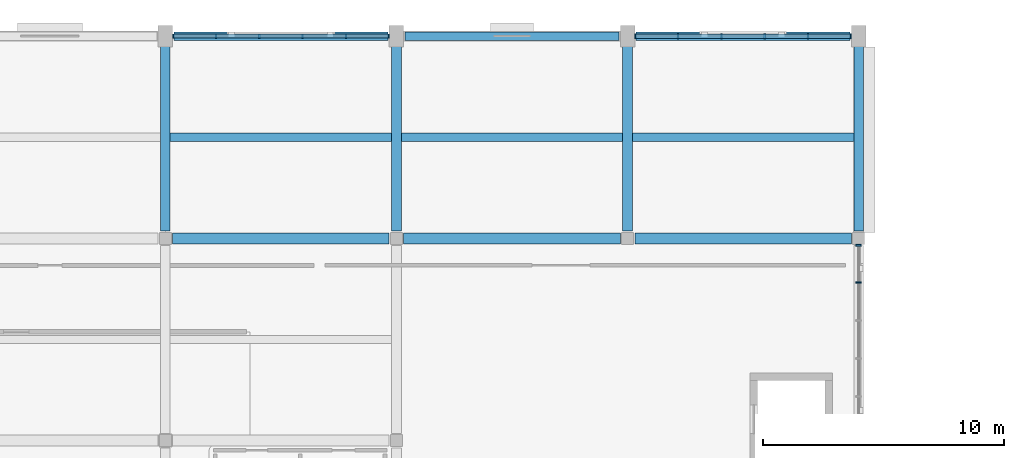
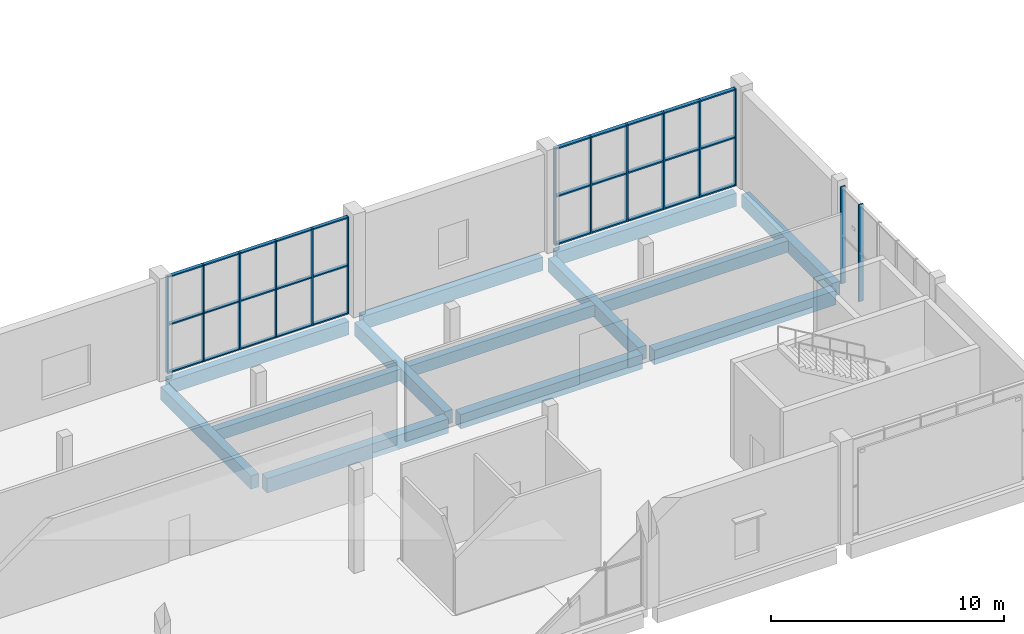
# One storey, part 35 of 83: 20 members, 13 beams, 3 elements without a shape of their own.
"""IFC4 building model written with IfcOpenShell, lengths in metres."""

import ifcopenshell
import ifcopenshell.guid

model = None  # the IFC model being written
_history = None  # IfcOwnerHistory: only IFC2X3 demands one
_inside = {}  # id of a spatial element -> (the spatial element, [elements in it])
_under = {}  # id of a project, library or spatial element -> (it, [spatial elements below it])
_declared = {}  # id of a project -> (the project, [libraries it declares])
_typed = {}  # id of a type object -> (the type object, [elements of that type])
_made_of = {}  # id of a material, layer set ... -> (it, [elements and type objects made of it])


def new_model(schema):
    """Start an empty IFC model of exactly this schema.

    Asked for "IFC4X3", IfcOpenShell would pick the latest addendum, in which some entities
    have other attributes; the version numbers below select the first issue.
    IFC2X3 requires an IfcOwnerHistory on every rooted entity: one is made here for all.
    """
    global model, _history
    if schema == "IFC4X3":
        model = ifcopenshell.file(schema_version=(4, 3, 0, 0))
    else:
        model = ifcopenshell.file(schema=schema)
    _inside.clear()
    _under.clear()
    _declared.clear()
    _typed.clear()
    _made_of.clear()
    _history = None
    if model.schema == "IFC2X3":
        org = make("IfcOrganization", Name="unknown")
        user = make(
            "IfcPersonAndOrganization",
            ThePerson=make("IfcPerson", FamilyName="unknown"),
            TheOrganization=org,
        )
        app = make(
            "IfcApplication",
            ApplicationDeveloper=org,
            Version="unknown",
            ApplicationFullName="unknown",
            ApplicationIdentifier="unknown",
        )
        _history = make(
            "IfcOwnerHistory",
            OwningUser=user,
            OwningApplication=app,
            ChangeAction="ADDED",
            CreationDate=0,
        )
    return model


def make(cls, **values):
    """One entity of the class cls with the attributes given. An attribute that is None is left unset."""
    return model.create_entity(
        cls, **{name: value for name, value in values.items() if value is not None}
    )


def rooted(cls, **values):
    """An entity with a GlobalId (a new one), such as an element, a storey or a relation."""
    return make(cls, GlobalId=ifcopenshell.guid.new(), OwnerHistory=_history, **values)


def si_unit(unit_type, name, prefix=None):
    """IfcSIUnit, for example si_unit("LENGTHUNIT", "METRE", prefix="MILLI")."""
    return make("IfcSIUnit", UnitType=unit_type, Prefix=prefix, Name=name)


def assignment(units):
    """IfcUnitAssignment: the units of a project."""
    return None if units is None else make("IfcUnitAssignment", Units=units)


def point(xyz):
    """IfcCartesianPoint."""
    return None if xyz is None else make("IfcCartesianPoint", Coordinates=xyz)


def direction(xyz):
    """IfcDirection."""
    return None if xyz is None else make("IfcDirection", DirectionRatios=xyz)


def frame(location, z_axis=None, x_axis=None):
    """IfcAxis2Placement3D, a coordinate frame: its origin and axes. An axis left out is left unset."""
    return make(
        "IfcAxis2Placement3D",
        Location=point(location),
        Axis=direction(z_axis),
        RefDirection=direction(x_axis),
    )


def frame_2d(location, x_axis=None):
    """IfcAxis2Placement2D, a coordinate frame in the plane: its origin and x axis."""
    return make(
        "IfcAxis2Placement2D", Location=point(location), RefDirection=direction(x_axis)
    )


def origin():
    """The frame at (0, 0, 0) with its axes left unset."""
    return frame((0.0, 0.0, 0.0))


def origin_2d():
    """The frame at (0, 0) in the plane with its x axis left unset."""
    return frame_2d((0.0, 0.0))


def place(relative_to, where):
    """IfcLocalPlacement: puts the frame where relative to a parent placement (None: the world)."""
    return make(
        "IfcLocalPlacement", PlacementRelTo=relative_to, RelativePlacement=where
    )


def context(
    kind, dimensions, precision=None, world=None, true_north=None, identifier=None
):
    """IfcGeometricRepresentationContext, for example the 3D "Model" context."""
    return make(
        "IfcGeometricRepresentationContext",
        ContextIdentifier=identifier,
        ContextType=kind,
        CoordinateSpaceDimension=dimensions,
        Precision=precision,
        WorldCoordinateSystem=world,
        TrueNorth=true_north,
    )


def subcontext(parent, identifier, kind, view, scale=None):
    """IfcGeometricRepresentationSubContext, for example "Body" below "Model"."""
    return make(
        "IfcGeometricRepresentationSubContext",
        ContextIdentifier=identifier,
        ContextType=kind,
        ParentContext=parent,
        TargetScale=scale,
        TargetView=view,
    )


def project(units=None, contexts=None):
    """IfcProject with its units and contexts."""
    return rooted(
        "IfcProject",
        Name="project",
        RepresentationContexts=contexts,
        UnitsInContext=assignment(units),
    )


def spatial(cls, under=None, at=None, **own):
    """A site, building, storey or space (cls), placed at a placement, below another one or the project."""
    s = rooted(cls, ObjectPlacement=at, **own)
    if under is not None:
        _under.setdefault(under.id(), (under, []))[1].append(s)
    return s


def profile(cls, at=None, kind="AREA", **sizes):
    """A parametric profile (cls). Its sizes go by their IFC names, for example OverallWidth=200.0."""
    return make(cls, ProfileType=kind, Position=at, **sizes)


def rectangle(**sizes):
    """IfcRectangleProfileDef."""
    return profile("IfcRectangleProfileDef", **sizes)


def extrude(swept, where, along, depth):
    """IfcExtrudedAreaSolid: the profile swept, set in the frame where, extruded along a direction by depth."""
    return make(
        "IfcExtrudedAreaSolid",
        SweptArea=swept,
        Position=where,
        ExtrudedDirection=direction(along),
        Depth=depth,
    )


def shape(context_of_items, identifier, shape_type, items):
    """IfcShapeRepresentation: the items that make up one representation, for example the "Body"."""
    return make(
        "IfcShapeRepresentation",
        ContextOfItems=context_of_items,
        RepresentationIdentifier=identifier,
        RepresentationType=shape_type,
        Items=items,
    )


def material(Name=None, Category=None):
    """IfcMaterial."""
    return make("IfcMaterial", Name=Name, Category=Category)


def material_profile(
    of_material, cross_section, Name=None, Category=None, Priority=None
):
    """IfcMaterialProfile: a cross section and its material."""
    return make(
        "IfcMaterialProfile",
        Name=Name,
        Material=of_material,
        Profile=cross_section,
        Priority=Priority,
        Category=Category,
    )


def profile_set(profiles, Name=None, composite=None):
    """IfcMaterialProfileSet."""
    return make(
        "IfcMaterialProfileSet",
        Name=Name,
        MaterialProfiles=profiles,
        CompositeProfile=composite,
    )


def made_of(thing, what):
    """Note that an element or type object is made of a material, layer set ...; save() writes the relation."""
    if what is not None:
        _made_of.setdefault(what.id(), (what, []))[1].append(thing)
    return thing


def type_object(cls, material=None, **own):
    """A type object (cls), such as IfcWallType, which elements share."""
    return made_of(rooted(cls, **own), material)


def element(
    cls,
    number,
    at=None,
    inside=None,
    cuts=None,
    type_object=None,
    material=None,
    context=None,
    identifier="Body",
    shape_type=None,
    held_by="IfcProductDefinitionShape",
    body=None,
    shapes=None,
    **own,
):
    """One element of the class cls, such as IfcWall. Its Tag is "e" and its number.

    at: its placement. inside: the storey or other place that contains it. cuts: it is an
    opening in that element (IfcRelVoidsElement). A single representation is given by context,
    identifier, shape_type and body (its items); several are given by shapes. held_by: the class
    of the entity that holds the representations. save() writes the other relations.
    """
    e = rooted(cls, Tag="e%d" % number, ObjectPlacement=at, **own)
    if body is not None:
        shapes = [shape(context, identifier, shape_type, body)]
    if shapes is not None:
        e.Representation = make(held_by, Representations=shapes)
    if inside is not None:
        _inside.setdefault(inside.id(), (inside, []))[1].append(e)
    if cuts is not None:
        rooted(
            "IfcRelVoidsElement", RelatingBuildingElement=cuts, RelatedOpeningElement=e
        )
    if type_object is not None:
        _typed.setdefault(type_object.id(), (type_object, []))[1].append(e)
    return made_of(e, material)


def aggregate(whole, parts):
    """IfcRelAggregates: a whole, such as a stair, and the parts it consists of."""
    return rooted("IfcRelAggregates", RelatingObject=whole, RelatedObjects=parts)


def save(model, path):
    """Write the relations noted so far, then the file.

    IfcRelAggregates (storeys below a building ...), IfcRelContainedInSpatialStructure (elements
    in a storey), IfcRelDefinesByType, IfcRelAssociatesMaterial and IfcRelDeclares: one each for
    every whole, place, type object, material and project.
    """
    for whole, parts in _under.values():
        aggregate(whole, parts)
    for where, things in _inside.values():
        rooted(
            "IfcRelContainedInSpatialStructure",
            RelatedElements=things,
            RelatingStructure=where,
        )
    for kind, things in _typed.values():
        rooted("IfcRelDefinesByType", RelatedObjects=things, RelatingType=kind)
    for what, things in _made_of.values():
        rooted("IfcRelAssociatesMaterial", RelatedObjects=things, RelatingMaterial=what)
    for by, libraries in _declared.values():
        rooted("IfcRelDeclares", RelatingContext=by, RelatedDefinitions=libraries)
    model.write(path)


model = new_model("IFC4")

# Units and contexts
model_context = context("Model", 3, precision=1e-05, world=origin(), true_north=direction((0.0, 1.0)))
body_context = subcontext(model_context, "Body", "Model", "MODEL_VIEW")
ifc_project = project(units=[si_unit("LENGTHUNIT", "METRE"), si_unit("AREAUNIT", "SQUARE_METRE"), si_unit("VOLUMEUNIT", "CUBIC_METRE"), si_unit("PLANEANGLEUNIT", "RADIAN"), si_unit("MASSUNIT", "GRAM", prefix="KILO")], contexts=[model_context])

# Site, building, storey
site_placement = place(None, origin())
site = spatial("IfcSite", under=ifc_project, at=site_placement, CompositionType="ELEMENT")
building_placement = place(site_placement, origin())
building = spatial("IfcBuilding", under=site, at=building_placement, Name="Shalvenor Court Art Gallery", CompositionType="ELEMENT")
storey_placement = place(building_placement, frame((0.0, 0.0, 6.0)))
storey = spatial("IfcBuildingStorey", under=building, at=storey_placement, Name="L01", CompositionType="ELEMENT", Elevation=6.0)

# Beams
ifc_material_1 = material(Name="Concrete C40/50", Category="concrete")
ifc_material_profile_1 = material_profile(ifc_material_1, rectangle(XDim=0.449951171875, YDim=0.75, at=origin_2d()), Name="RC 450x750")
ifc_profile_set_1 = profile_set([ifc_material_profile_1], Name="Concrete C40/50")
beam_type_1 = type_object("IfcBeamType", Name="B-04", PredefinedType="BEAM", material=ifc_profile_set_1)
for number, where, z_axis, x_axis, name in (
    (1, (96.300048828125, 114.0, -0.695068359375), (1.0, 0.0, 0.0), (0.0, 1.0, 0.0), "L01 Girder BM-L01-B-04-0610"),
    (2, (105.89990234375, 114.0, -0.695068359375), (1.0, 0.0, 0.0), (0.0, 1.0, 0.0), "L01 Girder BM-L01-B-04-0611"),
    (3, (115.5, 114.0, -0.695068359375), (1.0, 0.0, 0.0), (0.0, 1.0, 0.0), "L01 Girder BM-L01-B-04-0612"),
):
    element("IfcBeam", number, at=place(storey_placement, frame(where, z_axis=z_axis, x_axis=x_axis)), inside=storey, type_object=beam_type_1, Name=name, PredefinedType="BEAM", context=body_context, shape_type="SweptSolid", body=[
        extrude(rectangle(XDim=0.449951171875, YDim=0.75, at=origin_2d()), origin(), (0.0, 0.0, 1.0), 9.0),
    ])
ifc_material_2 = material(Name="Concrete C40/50", Category="concrete")
ifc_material_profile_2 = material_profile(ifc_material_2, rectangle(XDim=0.39990234375, YDim=0.699951171875, at=origin_2d()), Name="RC 400x700")
ifc_profile_set_2 = profile_set([ifc_material_profile_2], Name="Concrete C40/50")
beam_type_2 = type_object("IfcBeamType", Name="B-05", PredefinedType="BEAM", material=ifc_profile_set_2)
for number, where, z_axis, x_axis, name in (
    (4, (96.0, 114.300048828125, -0.669921875), (0.0, 1.0, 0.0), (-1.0, 0.0, 0.0), "L01 Girder BM-L01-B-05-0430"),
    (5, (105.60009765625, 114.300048828125, -0.669921875), (0.0, 1.0, 0.0), (-1.0, 0.0, 0.0), "L01 Girder BM-L01-B-05-0439"),
    (6, (115.199951171875, 114.300048828125, -0.669921875), (0.0, 1.0, 0.0), (-1.0, 0.0, 0.0), "L01 Girder BM-L01-B-05-0444"),
    (7, (124.800048828125, 114.300048828125, -0.669921875), (0.0, 1.0, 0.0), (-1.0, 0.0, 0.0), "L01 Girder BM-L01-B-05-0453"),
):
    element("IfcBeam", number, at=place(storey_placement, frame(where, z_axis=z_axis, x_axis=x_axis)), inside=storey, type_object=beam_type_2, Name=name, PredefinedType="BEAM", context=body_context, shape_type="SweptSolid", body=[
        extrude(rectangle(XDim=0.39990234375, YDim=0.699951171875, at=origin_2d()), origin(), (0.0, 0.0, 1.0), 7.75),
    ])

# Curtain wall, members
ifc_material_3 = material(Name="Anodised aluminium and low-iron glass curtain wall", Category="aluminium")
curtain_wall_type_1 = type_object("IfcCurtainWallType", Name="CW-5x2-90-51-122", PredefinedType="USERDEFINED", material=ifc_material_3)
curtain_wall_1_placement = place(storey_placement, origin())
curtain_wall_1 = element("IfcCurtainWall", 8, at=curtain_wall_1_placement, inside=storey, type_object=curtain_wall_type_1, Name="L01 V2 Curtain Wall CW-L01-064", ObjectType="CURTAIN WALL", PredefinedType="USERDEFINED")
ifc_material_4 = material(Name="Anodised aluminium mullion", Category="aluminium")
ifc_material_profile_3 = material_profile(ifc_material_4, rectangle(XDim=0.06494140625, YDim=0.179931640625, at=origin_2d()), Name="CWM-01")
ifc_profile_set_3 = profile_set([ifc_material_profile_3], Name="Anodised aluminium mullion")
member_type_1 = type_object("IfcMemberType", Name="CWM-01", PredefinedType="MULLION", material=ifc_profile_set_3)
member_1_placement = place(storey_placement, frame((96.33251953125, 122.39990234375, 0.0), z_axis=(0.0, 0.0, 1.0), x_axis=(1.0, 0.0, 0.0)))
member_1 = element("IfcMember", 9, at=member_1_placement, type_object=member_type_1, Name="CW-5x2-90-51-122 mullion 1", PredefinedType="MULLION", context=body_context, shape_type="SweptSolid", body=[
    extrude(rectangle(XDim=0.06494140625, YDim=0.179931640625, at=origin_2d()), origin(), (0.0, 0.0, 1.0), 5.080078125),
])
member_2_placement = place(storey_placement, frame((98.10009765625, 122.39990234375, 0.0), z_axis=(0.0, 0.0, 1.0), x_axis=(1.0, 0.0, 0.0)))
member_2 = element("IfcMember", 10, at=member_2_placement, type_object=member_type_1, Name="CW-5x2-90-51-122 mullion 2", PredefinedType="MULLION", context=body_context, shape_type="SweptSolid", body=[
    extrude(rectangle(XDim=0.06494140625, YDim=0.179931640625, at=origin_2d()), origin(), (0.0, 0.0, 1.0), 5.080078125),
])
member_3_placement = place(storey_placement, frame((99.89990234375, 122.39990234375, 0.0), z_axis=(0.0, 0.0, 1.0), x_axis=(1.0, 0.0, 0.0)))
member_3 = element("IfcMember", 11, at=member_3_placement, type_object=member_type_1, Name="CW-5x2-90-51-122 mullion 3", PredefinedType="MULLION", context=body_context, shape_type="SweptSolid", body=[
    extrude(rectangle(XDim=0.06494140625, YDim=0.179931640625, at=origin_2d()), origin(), (0.0, 0.0, 1.0), 5.080078125),
])
member_4_placement = place(storey_placement, frame((101.699951171875, 122.39990234375, 0.0), z_axis=(0.0, 0.0, 1.0), x_axis=(1.0, 0.0, 0.0)))
member_4 = element("IfcMember", 12, at=member_4_placement, type_object=member_type_1, Name="CW-5x2-90-51-122 mullion 4", PredefinedType="MULLION", context=body_context, shape_type="SweptSolid", body=[
    extrude(rectangle(XDim=0.06494140625, YDim=0.179931640625, at=origin_2d()), origin(), (0.0, 0.0, 1.0), 5.080078125),
])
member_5_placement = place(storey_placement, frame((103.5, 122.39990234375, 0.0), z_axis=(0.0, 0.0, 1.0), x_axis=(1.0, 0.0, 0.0)))
member_5 = element("IfcMember", 13, at=member_5_placement, type_object=member_type_1, Name="CW-5x2-90-51-122 mullion 5", PredefinedType="MULLION", context=body_context, shape_type="SweptSolid", body=[
    extrude(rectangle(XDim=0.06494140625, YDim=0.179931640625, at=origin_2d()), origin(), (0.0, 0.0, 1.0), 5.080078125),
])
member_6_placement = place(storey_placement, frame((105.267578125, 122.39990234375, 0.0), z_axis=(0.0, 0.0, 1.0), x_axis=(1.0, 0.0, 0.0)))
member_6 = element("IfcMember", 14, at=member_6_placement, type_object=member_type_1, Name="CW-5x2-90-51-122 mullion 6", PredefinedType="MULLION", context=body_context, shape_type="SweptSolid", body=[
    extrude(rectangle(XDim=0.06494140625, YDim=0.179931640625, at=origin_2d()), origin(), (0.0, 0.0, 1.0), 5.080078125),
])

ifc_material_5 = material(Name="Anodised aluminium and low-iron glass curtain wall", Category="aluminium")
curtain_wall_type_2 = type_object("IfcCurtainWallType", Name="CW-5x2-90-51-242", PredefinedType="USERDEFINED", material=ifc_material_5)
curtain_wall_2_placement = place(storey_placement, origin())
curtain_wall_2 = element("IfcCurtainWall", 15, at=curtain_wall_2_placement, inside=storey, type_object=curtain_wall_type_2, Name="L01 V2 Curtain Wall CW-L01-065", ObjectType="CURTAIN WALL", PredefinedType="USERDEFINED")
ifc_material_6 = material(Name="Anodised aluminium mullion", Category="aluminium")
ifc_material_profile_4 = material_profile(ifc_material_6, rectangle(XDim=0.070068359375, YDim=0.199951171875, at=origin_2d()), Name="CWM-02")
ifc_profile_set_4 = profile_set([ifc_material_profile_4], Name="Anodised aluminium mullion")
member_type_2 = type_object("IfcMemberType", Name="CWM-02", PredefinedType="MULLION", material=ifc_profile_set_4)
member_7_placement = place(storey_placement, frame((115.534912109375, 122.39990234375, 0.0), z_axis=(0.0, 0.0, 1.0), x_axis=(1.0, 0.0, 0.0)))
member_7 = element("IfcMember", 16, at=member_7_placement, type_object=member_type_2, Name="CW-5x2-90-51-242 mullion 1", PredefinedType="MULLION", context=body_context, shape_type="SweptSolid", body=[
    extrude(rectangle(XDim=0.070068359375, YDim=0.199951171875, at=origin_2d()), origin(), (0.0, 0.0, 1.0), 5.080078125),
])
member_8_placement = place(storey_placement, frame((117.300048828125, 122.39990234375, 0.0), z_axis=(0.0, 0.0, 1.0), x_axis=(1.0, 0.0, 0.0)))
member_8 = element("IfcMember", 17, at=member_8_placement, type_object=member_type_2, Name="CW-5x2-90-51-242 mullion 2", PredefinedType="MULLION", context=body_context, shape_type="SweptSolid", body=[
    extrude(rectangle(XDim=0.070068359375, YDim=0.199951171875, at=origin_2d()), origin(), (0.0, 0.0, 1.0), 5.080078125),
])
member_9_placement = place(storey_placement, frame((119.10009765625, 122.39990234375, 0.0), z_axis=(0.0, 0.0, 1.0), x_axis=(1.0, 0.0, 0.0)))
member_9 = element("IfcMember", 18, at=member_9_placement, type_object=member_type_2, Name="CW-5x2-90-51-242 mullion 3", PredefinedType="MULLION", context=body_context, shape_type="SweptSolid", body=[
    extrude(rectangle(XDim=0.070068359375, YDim=0.199951171875, at=origin_2d()), origin(), (0.0, 0.0, 1.0), 5.080078125),
])
member_10_placement = place(storey_placement, frame((120.89990234375, 122.39990234375, 0.0), z_axis=(0.0, 0.0, 1.0), x_axis=(1.0, 0.0, 0.0)))
member_10 = element("IfcMember", 19, at=member_10_placement, type_object=member_type_2, Name="CW-5x2-90-51-242 mullion 4", PredefinedType="MULLION", context=body_context, shape_type="SweptSolid", body=[
    extrude(rectangle(XDim=0.070068359375, YDim=0.199951171875, at=origin_2d()), origin(), (0.0, 0.0, 1.0), 5.080078125),
])
member_11_placement = place(storey_placement, frame((122.699951171875, 122.39990234375, 0.0), z_axis=(0.0, 0.0, 1.0), x_axis=(1.0, 0.0, 0.0)))
member_11 = element("IfcMember", 20, at=member_11_placement, type_object=member_type_2, Name="CW-5x2-90-51-242 mullion 5", PredefinedType="MULLION", context=body_context, shape_type="SweptSolid", body=[
    extrude(rectangle(XDim=0.070068359375, YDim=0.199951171875, at=origin_2d()), origin(), (0.0, 0.0, 1.0), 5.080078125),
])
member_12_placement = place(storey_placement, frame((124.465087890625, 122.39990234375, 0.0), z_axis=(0.0, 0.0, 1.0), x_axis=(1.0, 0.0, 0.0)))
member_12 = element("IfcMember", 21, at=member_12_placement, type_object=member_type_2, Name="CW-5x2-90-51-242 mullion 6", PredefinedType="MULLION", context=body_context, shape_type="SweptSolid", body=[
    extrude(rectangle(XDim=0.070068359375, YDim=0.199951171875, at=origin_2d()), origin(), (0.0, 0.0, 1.0), 5.080078125),
])

ifc_material_7 = material(Name="Anodised aluminium and low-iron glass curtain wall", Category="aluminium")
curtain_wall_type_3 = type_object("IfcCurtainWallType", Name="CW-5x2-79-51-412", PredefinedType="USERDEFINED", material=ifc_material_7)
curtain_wall_3_placement = place(storey_placement, origin())
curtain_wall_3 = element("IfcCurtainWall", 22, at=curtain_wall_3_placement, inside=storey, type_object=curtain_wall_type_3, Name="L01 V2 Curtain Wall CW-L01-066", ObjectType="CURTAIN WALL", PredefinedType="USERDEFINED")
ifc_material_8 = material(Name="Anodised aluminium mullion", Category="aluminium")
ifc_material_profile_5 = material_profile(ifc_material_8, rectangle(XDim=0.074951171875, YDim=0.219970703125, at=origin_2d()), Name="CWM-04")
ifc_profile_set_5 = profile_set([ifc_material_profile_5], Name="Anodised aluminium mullion")
member_type_3 = type_object("IfcMemberType", Name="CWM-04", PredefinedType="MULLION", material=ifc_profile_set_5)
member_13_placement = place(storey_placement, frame((124.800048828125, 113.71240234375, 0.0), z_axis=(0.0, 0.0, 1.0), x_axis=(0.0, -1.0, 0.0)))
member_13 = element("IfcMember", 23, at=member_13_placement, type_object=member_type_3, Name="CW-5x2-79-51-412 mullion 1", PredefinedType="MULLION", context=body_context, shape_type="SweptSolid", body=[
    extrude(rectangle(XDim=0.074951171875, YDim=0.219970703125, at=origin_2d()), origin(), (0.0, 0.0, 1.0), 5.080078125),
])
member_14_placement = place(storey_placement, frame((124.800048828125, 112.169921875, 0.0), z_axis=(0.0, 0.0, 1.0), x_axis=(0.0, -1.0, 0.0)))
member_14 = element("IfcMember", 24, at=member_14_placement, type_object=member_type_3, Name="CW-5x2-79-51-412 mullion 2", PredefinedType="MULLION", context=body_context, shape_type="SweptSolid", body=[
    extrude(rectangle(XDim=0.074951171875, YDim=0.219970703125, at=origin_2d()), origin(), (0.0, 0.0, 1.0), 5.080078125),
])
aggregate(curtain_wall_3, [member_13, member_14])

# Member
ifc_material_9 = material(Name="Anodised aluminium transom", Category="aluminium")
ifc_material_profile_6 = material_profile(ifc_material_9, rectangle(XDim=0.169921875, YDim=0.06494140625, at=origin_2d()), Name="CWT-02")
ifc_profile_set_6 = profile_set([ifc_material_profile_6], Name="Anodised aluminium transom")
member_type_4 = type_object("IfcMemberType", Name="CWT-02", PredefinedType="USERDEFINED", material=ifc_profile_set_6)
member_15_placement = place(storey_placement, frame((96.33251953125, 122.39990234375, 0.032470703125), z_axis=(1.0, 0.0, 0.0), x_axis=(0.0, 1.0, 0.0)))
member_15 = element("IfcMember", 25, at=member_15_placement, type_object=member_type_4, Name="CW-5x2-90-51-122 transom 1", ObjectType="TRANSOM", PredefinedType="USERDEFINED", context=body_context, shape_type="SweptSolid", body=[
    extrude(rectangle(XDim=0.169921875, YDim=0.06494140625, at=origin_2d()), origin(), (0.0, 0.0, 1.0), 8.93505859375),
])

member_16_placement = place(storey_placement, frame((96.33251953125, 122.39990234375, 2.5400390625), z_axis=(1.0, 0.0, 0.0), x_axis=(0.0, 1.0, 0.0)))
member_16 = element("IfcMember", 26, at=member_16_placement, type_object=member_type_4, Name="CW-5x2-90-51-122 transom 2", ObjectType="TRANSOM", PredefinedType="USERDEFINED", context=body_context, shape_type="SweptSolid", body=[
    extrude(rectangle(XDim=0.169921875, YDim=0.06494140625, at=origin_2d()), origin(), (0.0, 0.0, 1.0), 8.93505859375),
])

member_17_placement = place(storey_placement, frame((96.33251953125, 122.39990234375, 5.047607421875), z_axis=(1.0, 0.0, 0.0), x_axis=(0.0, 1.0, 0.0)))
member_17 = element("IfcMember", 27, at=member_17_placement, type_object=member_type_4, Name="CW-5x2-90-51-122 transom 3", ObjectType="TRANSOM", PredefinedType="USERDEFINED", context=body_context, shape_type="SweptSolid", body=[
    extrude(rectangle(XDim=0.169921875, YDim=0.06494140625, at=origin_2d()), origin(), (0.0, 0.0, 1.0), 8.93505859375),
])

aggregate(curtain_wall_1, [member_1, member_2, member_3, member_4, member_5, member_6, member_15, member_16, member_17])

ifc_material_10 = material(Name="Anodised aluminium transom", Category="aluminium")
ifc_material_profile_7 = material_profile(ifc_material_10, rectangle(XDim=0.18994140625, YDim=0.070068359375, at=origin_2d()), Name="CWT-04")
ifc_profile_set_7 = profile_set([ifc_material_profile_7], Name="Anodised aluminium transom")
member_type_5 = type_object("IfcMemberType", Name="CWT-04", PredefinedType="USERDEFINED", material=ifc_profile_set_7)
member_18_placement = place(storey_placement, frame((115.534912109375, 122.39990234375, 0.034912109375), z_axis=(1.0, 0.0, 0.0), x_axis=(0.0, 1.0, 0.0)))
member_18 = element("IfcMember", 28, at=member_18_placement, type_object=member_type_5, Name="CW-5x2-90-51-242 transom 1", ObjectType="TRANSOM", PredefinedType="USERDEFINED", context=body_context, shape_type="SweptSolid", body=[
    extrude(rectangle(XDim=0.18994140625, YDim=0.070068359375, at=origin_2d()), origin(), (0.0, 0.0, 1.0), 8.93017578125),
])

member_19_placement = place(storey_placement, frame((115.534912109375, 122.39990234375, 2.5400390625), z_axis=(1.0, 0.0, 0.0), x_axis=(0.0, 1.0, 0.0)))
member_19 = element("IfcMember", 29, at=member_19_placement, type_object=member_type_5, Name="CW-5x2-90-51-242 transom 2", ObjectType="TRANSOM", PredefinedType="USERDEFINED", context=body_context, shape_type="SweptSolid", body=[
    extrude(rectangle(XDim=0.18994140625, YDim=0.070068359375, at=origin_2d()), origin(), (0.0, 0.0, 1.0), 8.93017578125),
])

member_20_placement = place(storey_placement, frame((115.534912109375, 122.39990234375, 5.044921875), z_axis=(1.0, 0.0, 0.0), x_axis=(0.0, 1.0, 0.0)))
member_20 = element("IfcMember", 30, at=member_20_placement, type_object=member_type_5, Name="CW-5x2-90-51-242 transom 3", ObjectType="TRANSOM", PredefinedType="USERDEFINED", context=body_context, shape_type="SweptSolid", body=[
    extrude(rectangle(XDim=0.18994140625, YDim=0.070068359375, at=origin_2d()), origin(), (0.0, 0.0, 1.0), 8.93017578125),
])

aggregate(curtain_wall_2, [member_7, member_8, member_9, member_10, member_11, member_12, member_18, member_19, member_20])

# Beams
ifc_material_11 = material(Name="Concrete C40/50", Category="concrete")
ifc_material_profile_8 = material_profile(ifc_material_11, rectangle(XDim=0.35009765625, YDim=0.60009765625, at=origin_2d()), Name="RC 350x600")
ifc_profile_set_8 = profile_set([ifc_material_profile_8], Name="Concrete C40/50")
beam_type_3 = type_object("IfcBeamType", Name="J-01", PredefinedType="JOIST", material=ifc_profile_set_8)
for number, where, z_axis, x_axis, name in (
    (31, (96.199951171875, 118.199951171875, -0.6201171875), (1.0, 0.0, 0.0), (0.0, 1.0, 0.0), "L01 Secondary Beam JST-L01-J-01-0663"),
    (32, (105.800048828125, 118.199951171875, -0.6201171875), (1.0, 0.0, 0.0), (0.0, 1.0, 0.0), "L01 Secondary Beam JST-L01-J-01-0667"),
):
    element("IfcBeam", number, at=place(storey_placement, frame(where, z_axis=z_axis, x_axis=x_axis)), inside=storey, type_object=beam_type_3, Name=name, PredefinedType="JOIST", context=body_context, shape_type="SweptSolid", body=[
        extrude(rectangle(XDim=0.35009765625, YDim=0.60009765625, at=origin_2d()), origin(), (0.0, 0.0, 1.0), 9.199951171875),
    ])
beam_1_placement = place(storey_placement, frame((115.39990234375, 118.199951171875, -0.6201171875), z_axis=(1.0, 0.0, 0.0), x_axis=(0.0, 1.0, 0.0)))
element("IfcBeam", 33, at=beam_1_placement, inside=storey, type_object=beam_type_3, Name="L01 Secondary Beam JST-L01-J-01-0671", PredefinedType="JOIST", context=body_context, shape_type="SweptSolid", body=[
    extrude(rectangle(XDim=0.35009765625, YDim=0.60009765625, at=origin_2d()), origin(), (0.0, 0.0, 1.0), 9.2001953125),
])
ifc_material_12 = material(Name="Concrete C40/50", Category="concrete")
ifc_material_profile_9 = material_profile(ifc_material_12, rectangle(XDim=0.35009765625, YDim=0.699951171875, at=origin_2d()), Name="RC 350x700")
ifc_profile_set_9 = profile_set([ifc_material_profile_9], Name="Concrete C40/50")
beam_type_4 = type_object("IfcBeamType", Name="SP-01", PredefinedType="SPANDREL", material=ifc_profile_set_9)
beam_2_placement = place(storey_placement, frame((96.35009765625, 122.39990234375, -0.669921875), z_axis=(1.0, 0.0, 0.0), x_axis=(0.0, 1.0, 0.0)))
element("IfcBeam", 34, at=beam_2_placement, inside=storey, type_object=beam_type_4, Name="L01 Spandrel Girder BM-L01-SP-01-0621", PredefinedType="SPANDREL", context=body_context, shape_type="SweptSolid", body=[
    extrude(rectangle(XDim=0.35009765625, YDim=0.699951171875, at=origin_2d()), origin(), (0.0, 0.0, 1.0), 8.89990234375),
])
beam_3_placement = place(storey_placement, frame((105.949951171875, 122.39990234375, -0.669921875), z_axis=(1.0, 0.0, 0.0), x_axis=(0.0, 1.0, 0.0)))
element("IfcBeam", 35, at=beam_3_placement, inside=storey, type_object=beam_type_4, Name="L01 Spandrel Girder BM-L01-SP-01-0622", PredefinedType="SPANDREL", context=body_context, shape_type="SweptSolid", body=[
    extrude(rectangle(XDim=0.35009765625, YDim=0.699951171875, at=origin_2d()), origin(), (0.0, 0.0, 1.0), 8.900146484375),
])
beam_4_placement = place(storey_placement, frame((115.550048828125, 122.39990234375, -0.669921875), z_axis=(1.0, 0.0, 0.0), x_axis=(0.0, 1.0, 0.0)))
element("IfcBeam", 36, at=beam_4_placement, inside=storey, type_object=beam_type_4, Name="L01 Spandrel Girder BM-L01-SP-01-0623", PredefinedType="SPANDREL", context=body_context, shape_type="SweptSolid", body=[
    extrude(rectangle(XDim=0.35009765625, YDim=0.699951171875, at=origin_2d()), origin(), (0.0, 0.0, 1.0), 8.89990234375),
])

save(model, "model.ifc")
